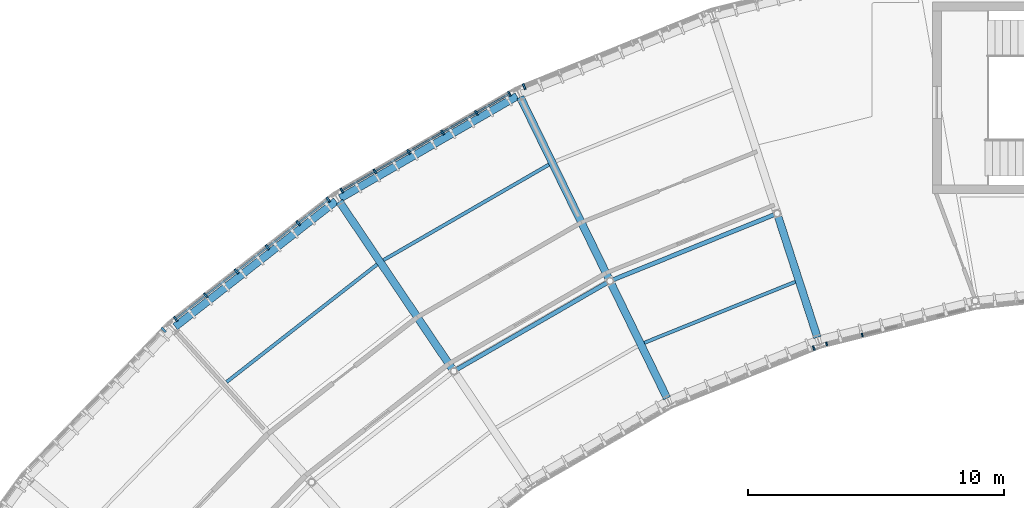
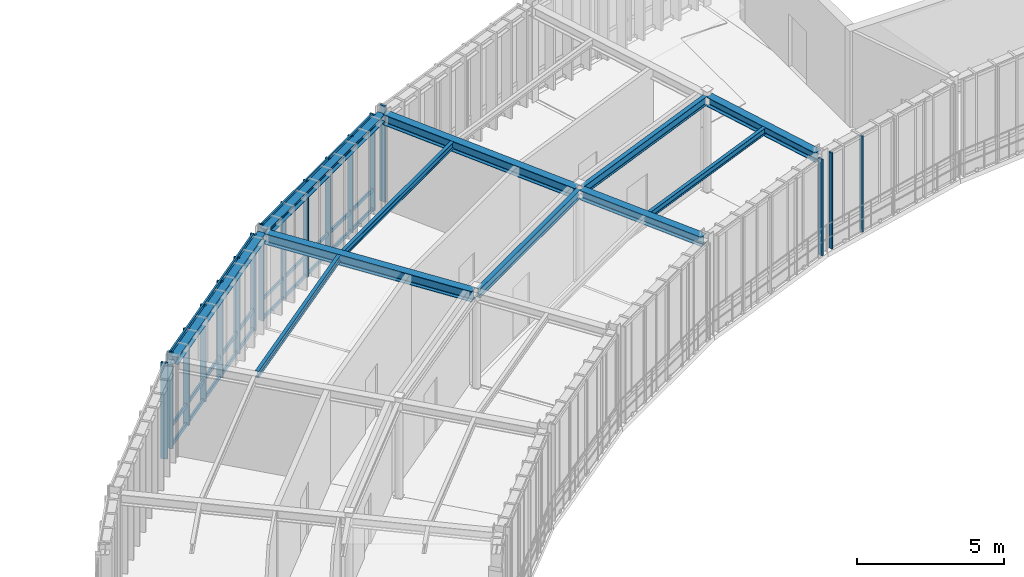
# One storey, part 20 of 52: 23 members, 11 beams, 6 elements without a shape of their own.
"""IFC4 building model written with IfcOpenShell, lengths in metres."""

from ifc_helpers import new_model, si_unit, direction, frame, origin, origin_2d, place, context, subcontext, project, spatial, rectangle, i_section, extrude, material, layer, layer_set, material_profile, profile_set, type_object, element, aggregate, save


model = new_model("IFC4")

# Units and contexts
model_context = context("Model", 3, precision=1e-05, world=origin(), true_north=direction((0.0, 1.0)))
body_context = subcontext(model_context, "Body", "Model", "MODEL_VIEW")
ifc_project = project(units=[si_unit("LENGTHUNIT", "METRE"), si_unit("AREAUNIT", "SQUARE_METRE"), si_unit("VOLUMEUNIT", "CUBIC_METRE"), si_unit("PLANEANGLEUNIT", "RADIAN"), si_unit("MASSUNIT", "GRAM", prefix="KILO"), si_unit("THERMODYNAMICTEMPERATUREUNIT", "KELVIN"), si_unit("POWERUNIT", "WATT")], contexts=[model_context])

# Site, building, storey
site_placement = place(None, origin())
site = spatial("IfcSite", under=ifc_project, at=site_placement, CompositionType="ELEMENT")
building_placement = place(site_placement, origin())
building = spatial("IfcBuilding", under=site, at=building_placement, Name="Solvatero Civic Police Headquarters", CompositionType="ELEMENT")
storey_placement = place(building_placement, frame((0.0, 0.0, 13.5)))
storey = spatial("IfcBuildingStorey", under=building, at=storey_placement, Name="L03", CompositionType="ELEMENT", Elevation=13.5)

# Beams
ifc_material_1 = material(Name="Steel S355", Category="steel")
ifc_material_profile_1 = material_profile(ifc_material_1, i_section(OverallWidth=0.300048828125, OverallDepth=0.31005859375, WebThickness=0.009033203125, FlangeThickness=0.015380859375, FilletRadius=0.027099609375, at=origin_2d()), Name="HEA 320")
ifc_profile_set_1 = profile_set([ifc_material_profile_1], Name="Steel S355")
beam_type_1 = type_object("IfcBeamType", Name="BM-ST-HEA320", PredefinedType="SPANDREL", material=ifc_profile_set_1)
for number, where, z_axis, x_axis, name in (
    (1, (68.202880859375, 78.664306640625, 3.844970703125), (-0.866028717572, -0.499994260308, 0.0), (0.499994260308, -0.866028717572, 0.0), "Perimeter / radial spandrel beam BM-R2-L03-ARC-COUT-B05"),
    (2, (61.12451171875, 74.5615234375, 3.844970703125), (-0.788008144593, -0.615664814696, 0.0), (0.615664814696, -0.788008144593, 0.0), "Perimeter / radial spandrel beam BM-R2-L03-ARC-COUT-B06"),
):
    element("IfcBeam", number, at=place(storey_placement, frame(where, z_axis=z_axis, x_axis=x_axis)), inside=storey, type_object=beam_type_1, Name=name, PredefinedType="SPANDREL", context=body_context, shape_type="SweptSolid", body=[
        extrude(i_section(OverallWidth=0.300048828125, OverallDepth=0.31005859375, WebThickness=0.009033203125, FlangeThickness=0.015380859375, FilletRadius=0.027099609375, at=origin_2d()), origin(), (0.0, 0.0, 1.0), 7.982421875),
    ])
ifc_material_profile_2 = material_profile(ifc_material_1, i_section(OverallWidth=0.300048828125, OverallDepth=0.389892578125, WebThickness=0.010986328125, FlangeThickness=0.01904296875, FilletRadius=0.027099609375, at=origin_2d()), Name="HEA 400")
ifc_profile_set_2 = profile_set([ifc_material_profile_2], Name="Steel S355")
beam_type_2 = type_object("IfcBeamType", Name="BM-ST-HEA400", PredefinedType="BEAM", material=ifc_profile_set_2)
beam_1_placement = place(storey_placement, frame((79.955078125, 69.2255859375, 3.804931640625), z_axis=(-0.308996636599, 0.951063130697, 0.0), x_axis=(-0.951063130697, -0.308996636599, 0.0)))
element("IfcBeam", 3, at=beam_1_placement, inside=storey, type_object=beam_type_2, Name="Primary girder BM-R2-L03-ARC-RAD1-S03", PredefinedType="BEAM", context=body_context, shape_type="SweptSolid", body=[
    extrude(i_section(OverallWidth=0.300048828125, OverallDepth=0.389892578125, WebThickness=0.010986328125, FlangeThickness=0.01904296875, FilletRadius=0.027099609375, at=origin_2d()), origin(), (0.0, 0.0, 1.0), 4.999755859375),
])
beam_2_placement = place(storey_placement, frame((74.076171875, 66.85009765625, 3.804931640625), z_axis=(-0.438422670017, 0.898768914914, 0.0), x_axis=(-0.898768914914, -0.438422670017, 0.0)))
element("IfcBeam", 4, at=beam_2_placement, inside=storey, type_object=beam_type_2, Name="Primary girder BM-R2-L03-ARC-RAD1-S04", PredefinedType="BEAM", context=body_context, shape_type="SweptSolid", body=[
    extrude(i_section(OverallWidth=0.300048828125, OverallDepth=0.389892578125, WebThickness=0.010986328125, FlangeThickness=0.01904296875, FilletRadius=0.027099609375, at=origin_2d()), origin(), (0.0, 0.0, 1.0), 5.0),
])
ifc_material_profile_3 = material_profile(ifc_material_1, i_section(OverallWidth=0.300048828125, OverallDepth=0.43994140625, WebThickness=0.011474609375, FlangeThickness=0.02099609375, FilletRadius=0.027099609375, at=origin_2d()), Name="HEA 450")
ifc_profile_set_3 = profile_set([ifc_material_profile_3], Name="Steel S355")
beam_type_3 = type_object("IfcBeamType", Name="BM-ST-HEA450", PredefinedType="BEAM", material=ifc_profile_set_3)
for number, where, z_axis, x_axis, name in (
    (5, (71.79638671875, 71.52392578125, 3.780029296875), (-0.438365789194, 0.898796659353, 0.0), (-0.898796659353, -0.438365789194, 0.0), "Primary girder BM-R2-L03-ARC-RAD2-S04"),
    (6, (65.677001953125, 67.99072265625, 3.780029296875), (-0.559192054274, 0.829038145345, 0.0), (-0.829038145345, -0.559192054274, 0.0), "Primary girder BM-R2-L03-ARC-RAD2-S05"),
):
    element("IfcBeam", number, at=place(storey_placement, frame(where, z_axis=z_axis, x_axis=x_axis)), inside=storey, type_object=beam_type_3, Name=name, PredefinedType="BEAM", context=body_context, shape_type="SweptSolid", body=[
        extrude(i_section(OverallWidth=0.300048828125, OverallDepth=0.43994140625, WebThickness=0.011474609375, FlangeThickness=0.02099609375, FilletRadius=0.027099609375, at=origin_2d()), origin(), (0.0, 0.0, 1.0), 7.900146484375),
    ])
ifc_material_profile_4 = material_profile(ifc_material_1, i_section(OverallWidth=0.135009765625, OverallDepth=0.27001953125, WebThickness=0.006591796875, FlangeThickness=0.01025390625, FilletRadius=0.014892578125, at=origin_2d()), Name="IPE 270")
ifc_profile_set_4 = profile_set([ifc_material_profile_4], Name="Steel S355")
beam_type_4 = type_object("IfcBeamType", Name="BM-ST-IPE270", PredefinedType="BEAM", material=ifc_profile_set_4)
beam_3_placement = place(storey_placement, frame((79.08984375, 71.404296875, 3.864990234375), z_axis=(-0.927180902573, -0.374613899774, 0.0), x_axis=(0.374613899774, -0.927180902573, 0.0)))
element("IfcBeam", 7, at=beam_3_placement, inside=storey, type_object=beam_type_4, Name="Composite floor beam BM-R2-L03-ARC-CS1-B04", PredefinedType="BEAM", context=body_context, shape_type="SweptSolid", body=[
    extrude(i_section(OverallWidth=0.135009765625, OverallDepth=0.27001953125, WebThickness=0.006591796875, FlangeThickness=0.01025390625, FilletRadius=0.014892578125, at=origin_2d()), origin(), (0.0, 0.0, 1.0), 6.36865234375),
])
for number, where, z_axis, x_axis, name in (
    (8, (69.452880859375, 75.98779296875, 3.864990234375), (-0.866030490612, -0.499991189252, 0.0), (0.499991189252, -0.866030490612, 0.0), "Composite floor beam BM-R2-L03-ARC-CS2-B05"),
    (9, (62.73486328125, 72.085205078125, 3.864990234375), (-0.78800951062, -0.615663066272, 0.0), (0.615663066272, -0.78800951062, 0.0), "Composite floor beam BM-R2-L03-ARC-CS2-B06"),
):
    element("IfcBeam", number, at=place(storey_placement, frame(where, z_axis=z_axis, x_axis=x_axis)), inside=storey, type_object=beam_type_4, Name=name, PredefinedType="BEAM", context=body_context, shape_type="SweptSolid", body=[
        extrude(i_section(OverallWidth=0.135009765625, OverallDepth=0.27001953125, WebThickness=0.006591796875, FlangeThickness=0.01025390625, FilletRadius=0.014892578125, at=origin_2d()), origin(), (0.0, 0.0, 1.0), 7.470947265625),
    ])
ifc_material_profile_5 = material_profile(ifc_material_1, i_section(OverallWidth=0.169921875, OverallDepth=0.360107421875, WebThickness=0.008056640625, FlangeThickness=0.0126953125, FilletRadius=0.01806640625, at=origin_2d()), Name="IPE 360")
ifc_profile_set_5 = profile_set([ifc_material_profile_5], Name="Steel S355")
beam_type_5 = type_object("IfcBeamType", Name="BM-ST-IPE360", PredefinedType="BEAM", material=ifc_profile_set_5)
beam_4_placement = place(storey_placement, frame((78.28662109375, 74.038330078125, 3.820068359375), z_axis=(-0.927188538339, -0.374595000465, 0.0), x_axis=(0.374595000465, -0.927188538339, 0.0)))
element("IfcBeam", 10, at=beam_4_placement, inside=storey, type_object=beam_type_5, Name="Composite floor beam BM-R2-L03-ARC-CMID-B04", PredefinedType="BEAM", context=body_context, shape_type="SweptSolid", body=[
    extrude(i_section(OverallWidth=0.169921875, OverallDepth=0.360107421875, WebThickness=0.008056640625, FlangeThickness=0.0126953125, FilletRadius=0.01806640625, at=origin_2d()), origin(), (0.0, 0.0, 1.0), 6.8525390625),
])
beam_5_placement = place(storey_placement, frame((71.753662109375, 71.384033203125, 3.820068359375), z_axis=(-0.866020050267, -0.50000927245, 0.0), x_axis=(0.50000927245, -0.866020050267, 0.0)))
element("IfcBeam", 11, at=beam_5_placement, inside=storey, type_object=beam_type_5, Name="Composite floor beam BM-R2-L03-ARC-CMID-B05", PredefinedType="BEAM", context=body_context, shape_type="SweptSolid", body=[
    extrude(i_section(OverallWidth=0.169921875, OverallDepth=0.360107421875, WebThickness=0.008056640625, FlangeThickness=0.0126953125, FilletRadius=0.01806640625, at=origin_2d()), origin(), (0.0, 0.0, 1.0), 6.852294921875),
])

# Curtain wall, member
ifc_material_2 = material(Name="Anodized Bronze Aluminium", Category="aluminium")
ifc_layer_1 = layer(ifc_material_2, 0.179931640625)
ifc_layer_set_1 = layer_set([ifc_layer_1], Name="Anodized Bronze Aluminium")
curtain_wall_type_1 = type_object("IfcCurtainWallType", Name="CW-ARC-OUT", PredefinedType="USERDEFINED", material=ifc_layer_set_1)
curtain_wall_1_placement = place(storey_placement, origin())
curtain_wall_1 = element("IfcCurtainWall", 12, at=curtain_wall_1_placement, inside=storey, type_object=curtain_wall_type_1, Name="Curtain Wall CW-R2-L03-ARC-OUT-B04", ObjectType="UNITISED", PredefinedType="USERDEFINED")
ifc_material_profile_6 = material_profile(ifc_material_2, rectangle(XDim=0.080078125, YDim=0.239990234375, at=origin_2d()), Name="ALU MULLION 80x240")
ifc_profile_set_6 = profile_set([ifc_material_profile_6], Name="Anodized Bronze Aluminium")
member_type_1 = type_object("IfcMemberType", Name="CWM-140x60", PredefinedType="MULLION", material=ifc_profile_set_6)
member_1_placement = place(storey_placement, frame((68.486328125, 79.041259765625, 0.0), z_axis=(0.0, 0.0, 1.0), x_axis=(-0.927190392544, -0.374590410948, 0.0)))
member_1 = element("IfcMember", 13, at=member_1_placement, type_object=member_type_1, Name="CW-R2-L03-ARC-OUT-B04 Mullion 6", PredefinedType="MULLION", context=body_context, shape_type="SweptSolid", body=[
    extrude(rectangle(XDim=0.080078125, YDim=0.239990234375, at=origin_2d()), origin(), (0.0, 0.0, 1.0), 4.0),
])
aggregate(curtain_wall_1, [member_1])

curtain_wall_2_placement = place(storey_placement, origin())
curtain_wall_2 = element("IfcCurtainWall", 14, at=curtain_wall_2_placement, inside=storey, type_object=curtain_wall_type_1, Name="Curtain Wall CW-R2-L03-ARC-OUT-B07", ObjectType="UNITISED", PredefinedType="USERDEFINED")
member_2_placement = place(storey_placement, frame((54.37841796875, 69.525390625, 0.0), z_axis=(0.0, 0.0, 1.0), x_axis=(-0.694645815505, -0.719351924305, 0.0)))
member_2 = element("IfcMember", 15, at=member_2_placement, type_object=member_type_1, Name="CW-R2-L03-ARC-OUT-B07 Mullion 1", PredefinedType="MULLION", context=body_context, shape_type="SweptSolid", body=[
    extrude(rectangle(XDim=0.080078125, YDim=0.239990234375, at=origin_2d()), origin(), (0.0, 0.0, 1.0), 4.0),
])
aggregate(curtain_wall_2, [member_2])

# Curtain wall, members
ifc_layer_2 = layer(ifc_material_2, 0.179931640625)
ifc_layer_set_2 = layer_set([ifc_layer_2], Name="Anodized Bronze Aluminium")
curtain_wall_type_2 = type_object("IfcCurtainWallType", Name="CW-ARC-IN", PredefinedType="USERDEFINED", material=ifc_layer_set_2)
curtain_wall_3_placement = place(storey_placement, origin())
curtain_wall_3 = element("IfcCurtainWall", 16, at=curtain_wall_3_placement, inside=storey, type_object=curtain_wall_type_2, Name="Curtain Wall CW-R2-L03-ARC-IN-B03", ObjectType="UNITISED", PredefinedType="USERDEFINED")
ifc_material_profile_7 = material_profile(ifc_material_2, rectangle(XDim=0.06005859375, YDim=0.139892578125, at=origin_2d()), Name="ALU MULLION 60x140")
ifc_profile_set_7 = profile_set([ifc_material_profile_7], Name="Anodized Bronze Aluminium")
member_type_2 = type_object("IfcMemberType", Name="CWM-160x65", PredefinedType="MULLION", material=ifc_profile_set_7)
member_3_placement = place(storey_placement, frame((81.708251953125, 69.3232421875, 0.0), z_axis=(0.0, 0.0, 1.0), x_axis=(-0.970299948462, -0.241904960708, 0.0)))
member_3 = element("IfcMember", 17, at=member_3_placement, type_object=member_type_2, Name="CW-R2-L03-ARC-IN-B03 Mullion 4", PredefinedType="MULLION", context=body_context, shape_type="SweptSolid", body=[
    extrude(rectangle(XDim=0.06005859375, YDim=0.139892578125, at=origin_2d()), origin(), (0.0, 0.0, 1.0), 4.0),
])
member_4_placement = place(storey_placement, frame((80.313232421875, 68.9755859375, 0.0), z_axis=(0.0, 0.0, 1.0), x_axis=(-0.970299948462, -0.241904960708, 0.0)))
member_4 = element("IfcMember", 18, at=member_4_placement, type_object=member_type_2, Name="CW-R2-L03-ARC-IN-B03 Mullion 5", PredefinedType="MULLION", context=body_context, shape_type="SweptSolid", body=[
    extrude(rectangle(XDim=0.06005859375, YDim=0.139892578125, at=origin_2d()), origin(), (0.0, 0.0, 1.0), 4.0),
])
aggregate(curtain_wall_3, [member_3, member_4])

# Curtain wall, member
curtain_wall_4_placement = place(storey_placement, origin())
curtain_wall_4 = element("IfcCurtainWall", 19, at=curtain_wall_4_placement, inside=storey, type_object=curtain_wall_type_2, Name="Curtain Wall CW-R2-L03-ARC-IN-B04", ObjectType="UNITISED", PredefinedType="USERDEFINED")
ifc_material_profile_8 = material_profile(ifc_material_2, rectangle(XDim=0.06494140625, YDim=0.179931640625, at=origin_2d()), Name="ALU MULLION 65x180")
ifc_profile_set_8 = profile_set([ifc_material_profile_8], Name="Anodized Bronze Aluminium")
member_type_3 = type_object("IfcMemberType", Name="CWM-200x75", PredefinedType="MULLION", material=ifc_profile_set_8)
member_5_placement = place(storey_placement, frame((79.8125, 68.812744140625, 0.0), z_axis=(0.0, 0.0, 1.0), x_axis=(-0.927183854567, -0.374606593416, 0.0)))
member_5 = element("IfcMember", 20, at=member_5_placement, type_object=member_type_3, Name="CW-R2-L03-ARC-IN-B04 Mullion 1", PredefinedType="MULLION", context=body_context, shape_type="SweptSolid", body=[
    extrude(rectangle(XDim=0.06494140625, YDim=0.179931640625, at=origin_2d()), origin(), (0.0, 0.0, 1.0), 4.0),
])
aggregate(curtain_wall_4, [member_5])

# Curtain wall, members
curtain_wall_5_placement = place(storey_placement, origin())
curtain_wall_5 = element("IfcCurtainWall", 21, at=curtain_wall_5_placement, inside=storey, type_object=curtain_wall_type_1, Name="Curtain Wall CW-R2-L03-ARC-OUT-B05", ObjectType="UNITISED", PredefinedType="USERDEFINED")
ifc_material_profile_9 = material_profile(ifc_material_2, rectangle(XDim=0.070068359375, YDim=0.199951171875, at=origin_2d()), Name="ALU MULLION 70x200")
ifc_profile_set_9 = profile_set([ifc_material_profile_9], Name="Anodized Bronze Aluminium")
member_type_4 = type_object("IfcMemberType", Name="CWM-220x80", PredefinedType="MULLION", material=ifc_profile_set_9)
member_6_placement = place(storey_placement, frame((67.91064453125, 78.760498046875, 0.0), z_axis=(0.0, 0.0, 1.0), x_axis=(-0.866034130299, -0.499984884929, 0.0)))
member_6 = element("IfcMember", 22, at=member_6_placement, type_object=member_type_4, Name="CW-R2-L03-ARC-OUT-B05 Mullion 1", PredefinedType="MULLION", context=body_context, shape_type="SweptSolid", body=[
    extrude(rectangle(XDim=0.070068359375, YDim=0.199951171875, at=origin_2d()), origin(), (0.0, 0.0, 1.0), 4.0),
])
member_7_placement = place(storey_placement, frame((66.619873046875, 78.01513671875, 0.0), z_axis=(0.0, 0.0, 1.0), x_axis=(-0.866034130299, -0.499984884929, 0.0)))
member_7 = element("IfcMember", 23, at=member_7_placement, type_object=member_type_4, Name="CW-R2-L03-ARC-OUT-B05 Mullion 2", PredefinedType="MULLION", context=body_context, shape_type="SweptSolid", body=[
    extrude(rectangle(XDim=0.070068359375, YDim=0.199951171875, at=origin_2d()), origin(), (0.0, 0.0, 1.0), 4.0),
])
member_8_placement = place(storey_placement, frame((65.29443359375, 77.25, 0.0), z_axis=(0.0, 0.0, 1.0), x_axis=(-0.866034130299, -0.499984884929, 0.0)))
member_8 = element("IfcMember", 24, at=member_8_placement, type_object=member_type_4, Name="CW-R2-L03-ARC-OUT-B05 Mullion 3", PredefinedType="MULLION", context=body_context, shape_type="SweptSolid", body=[
    extrude(rectangle(XDim=0.070068359375, YDim=0.199951171875, at=origin_2d()), origin(), (0.0, 0.0, 1.0), 4.0),
])
member_9_placement = place(storey_placement, frame((63.968994140625, 76.484619140625, 0.0), z_axis=(0.0, 0.0, 1.0), x_axis=(-0.866034130299, -0.499984884929, 0.0)))
member_9 = element("IfcMember", 25, at=member_9_placement, type_object=member_type_4, Name="CW-R2-L03-ARC-OUT-B05 Mullion 4", PredefinedType="MULLION", context=body_context, shape_type="SweptSolid", body=[
    extrude(rectangle(XDim=0.070068359375, YDim=0.199951171875, at=origin_2d()), origin(), (0.0, 0.0, 1.0), 4.0),
])
member_10_placement = place(storey_placement, frame((62.6435546875, 75.719482421875, 0.0), z_axis=(0.0, 0.0, 1.0), x_axis=(-0.866034130299, -0.499984884929, 0.0)))
member_10 = element("IfcMember", 26, at=member_10_placement, type_object=member_type_4, Name="CW-R2-L03-ARC-OUT-B05 Mullion 5", PredefinedType="MULLION", context=body_context, shape_type="SweptSolid", body=[
    extrude(rectangle(XDim=0.070068359375, YDim=0.199951171875, at=origin_2d()), origin(), (0.0, 0.0, 1.0), 4.0),
])
member_11_placement = place(storey_placement, frame((61.352783203125, 74.97412109375, 0.0), z_axis=(0.0, 0.0, 1.0), x_axis=(-0.866034130299, -0.499984884929, 0.0)))
member_11 = element("IfcMember", 27, at=member_11_placement, type_object=member_type_4, Name="CW-R2-L03-ARC-OUT-B05 Mullion 6", PredefinedType="MULLION", context=body_context, shape_type="SweptSolid", body=[
    extrude(rectangle(XDim=0.070068359375, YDim=0.199951171875, at=origin_2d()), origin(), (0.0, 0.0, 1.0), 4.0),
])

curtain_wall_6_placement = place(storey_placement, origin())
curtain_wall_6 = element("IfcCurtainWall", 28, at=curtain_wall_6_placement, inside=storey, type_object=curtain_wall_type_1, Name="Curtain Wall CW-R2-L03-ARC-OUT-B06", ObjectType="UNITISED", PredefinedType="USERDEFINED")
ifc_material_profile_10 = material_profile(ifc_material_2, rectangle(XDim=0.074951171875, YDim=0.219970703125, at=origin_2d()), Name="ALU MULLION 75x220")
ifc_profile_set_10 = profile_set([ifc_material_profile_10], Name="Anodized Bronze Aluminium")
member_type_5 = type_object("IfcMemberType", Name="CWM-250x85", PredefinedType="MULLION", material=ifc_profile_set_10)
member_12_placement = place(storey_placement, frame((60.82177734375, 74.6162109375, 0.0), z_axis=(0.0, 0.0, 1.0), x_axis=(-0.788021498807, -0.61564772185, 0.0)))
member_12 = element("IfcMember", 29, at=member_12_placement, type_object=member_type_5, Name="CW-R2-L03-ARC-OUT-B06 Mullion 1", PredefinedType="MULLION", context=body_context, shape_type="SweptSolid", body=[
    extrude(rectangle(XDim=0.074951171875, YDim=0.219970703125, at=origin_2d()), origin(), (0.0, 0.0, 1.0), 4.0),
])
member_13_placement = place(storey_placement, frame((59.647216796875, 73.698486328125, 0.0), z_axis=(0.0, 0.0, 1.0), x_axis=(-0.788021498807, -0.61564772185, 0.0)))
member_13 = element("IfcMember", 30, at=member_13_placement, type_object=member_type_5, Name="CW-R2-L03-ARC-OUT-B06 Mullion 2", PredefinedType="MULLION", context=body_context, shape_type="SweptSolid", body=[
    extrude(rectangle(XDim=0.074951171875, YDim=0.219970703125, at=origin_2d()), origin(), (0.0, 0.0, 1.0), 4.0),
])
member_14_placement = place(storey_placement, frame((58.441162109375, 72.756103515625, 0.0), z_axis=(0.0, 0.0, 1.0), x_axis=(-0.788021498807, -0.61564772185, 0.0)))
member_14 = element("IfcMember", 31, at=member_14_placement, type_object=member_type_5, Name="CW-R2-L03-ARC-OUT-B06 Mullion 3", PredefinedType="MULLION", context=body_context, shape_type="SweptSolid", body=[
    extrude(rectangle(XDim=0.074951171875, YDim=0.219970703125, at=origin_2d()), origin(), (0.0, 0.0, 1.0), 4.0),
])
member_15_placement = place(storey_placement, frame((57.235107421875, 71.81396484375, 0.0), z_axis=(0.0, 0.0, 1.0), x_axis=(-0.788021498807, -0.61564772185, 0.0)))
member_15 = element("IfcMember", 32, at=member_15_placement, type_object=member_type_5, Name="CW-R2-L03-ARC-OUT-B06 Mullion 4", PredefinedType="MULLION", context=body_context, shape_type="SweptSolid", body=[
    extrude(rectangle(XDim=0.074951171875, YDim=0.219970703125, at=origin_2d()), origin(), (0.0, 0.0, 1.0), 4.0),
])
member_16_placement = place(storey_placement, frame((56.029052734375, 70.87158203125, 0.0), z_axis=(0.0, 0.0, 1.0), x_axis=(-0.788021498807, -0.61564772185, 0.0)))
member_16 = element("IfcMember", 33, at=member_16_placement, type_object=member_type_5, Name="CW-R2-L03-ARC-OUT-B06 Mullion 5", PredefinedType="MULLION", context=body_context, shape_type="SweptSolid", body=[
    extrude(rectangle(XDim=0.074951171875, YDim=0.219970703125, at=origin_2d()), origin(), (0.0, 0.0, 1.0), 4.0),
])
member_17_placement = place(storey_placement, frame((54.8544921875, 69.9541015625, 0.0), z_axis=(0.0, 0.0, 1.0), x_axis=(-0.788021498807, -0.61564772185, 0.0)))
member_17 = element("IfcMember", 34, at=member_17_placement, type_object=member_type_5, Name="CW-R2-L03-ARC-OUT-B06 Mullion 6", PredefinedType="MULLION", context=body_context, shape_type="SweptSolid", body=[
    extrude(rectangle(XDim=0.074951171875, YDim=0.219970703125, at=origin_2d()), origin(), (0.0, 0.0, 1.0), 4.0),
])
ifc_material_profile_11 = material_profile(ifc_material_2, rectangle(XDim=0.070068359375, YDim=0.159912109375, at=origin_2d()), Name="ALU TRANSOM 70x160")
ifc_profile_set_11 = profile_set([ifc_material_profile_11], Name="Anodized Bronze Aluminium")
member_type_6 = type_object("IfcMemberType", Name="CWT-120x55", PredefinedType="USERDEFINED", material=ifc_profile_set_11)
member_18_placement = place(storey_placement, frame((60.81396484375, 74.60986328125, 0.0400390625), z_axis=(-0.788029274462, -0.615637768977, 0.0), x_axis=(0.615637768977, -0.788029274462, 0.0)))
member_18 = element("IfcMember", 35, at=member_18_placement, type_object=member_type_6, Name="CW-R2-L03-ARC-OUT-B06 Transom 1", ObjectType="TRANSOM", PredefinedType="USERDEFINED", context=body_context, shape_type="SweptSolid", body=[
    extrude(rectangle(XDim=0.070068359375, YDim=0.159912109375, at=origin_2d()), origin(), (0.0, 0.0, 1.0), 7.552490234375),
])
member_19_placement = place(storey_placement, frame((60.81396484375, 74.60986328125, 0.85009765625), z_axis=(-0.788029274462, -0.615637768977, 0.0), x_axis=(0.615637768977, -0.788029274462, 0.0)))
member_19 = element("IfcMember", 36, at=member_19_placement, type_object=member_type_6, Name="CW-R2-L03-ARC-OUT-B06 Transom 2", ObjectType="TRANSOM", PredefinedType="USERDEFINED", context=body_context, shape_type="SweptSolid", body=[
    extrude(rectangle(XDim=0.070068359375, YDim=0.159912109375, at=origin_2d()), origin(), (0.0, 0.0, 1.0), 7.552490234375),
])
member_20_placement = place(storey_placement, frame((60.81396484375, 74.60986328125, 3.9599609375), z_axis=(-0.788029274462, -0.615637768977, 0.0), x_axis=(0.615637768977, -0.788029274462, 0.0)))
member_20 = element("IfcMember", 37, at=member_20_placement, type_object=member_type_6, Name="CW-R2-L03-ARC-OUT-B06 Transom 3", ObjectType="TRANSOM", PredefinedType="USERDEFINED", context=body_context, shape_type="SweptSolid", body=[
    extrude(rectangle(XDim=0.070068359375, YDim=0.159912109375, at=origin_2d()), origin(), (0.0, 0.0, 1.0), 7.552490234375),
])
aggregate(curtain_wall_6, [member_12, member_13, member_14, member_15, member_16, member_17, member_18, member_19, member_20])

# Member
ifc_material_profile_12 = material_profile(ifc_material_2, rectangle(XDim=0.06494140625, YDim=0.139892578125, at=origin_2d()), Name="ALU TRANSOM 65x140")
ifc_profile_set_12 = profile_set([ifc_material_profile_12], Name="Anodized Bronze Aluminium")
member_type_7 = type_object("IfcMemberType", Name="CWT-180x70", PredefinedType="USERDEFINED", material=ifc_profile_set_12)
member_21_placement = place(storey_placement, frame((67.902099609375, 78.75537109375, 0.0400390625), z_axis=(-0.866036476395, -0.499980821186, 0.0), x_axis=(0.499980821186, -0.866036476395, 0.0)))
member_21 = element("IfcMember", 38, at=member_21_placement, type_object=member_type_7, Name="CW-R2-L03-ARC-OUT-B05 Transom 1", ObjectType="TRANSOM", PredefinedType="USERDEFINED", context=body_context, shape_type="SweptSolid", body=[
    extrude(rectangle(XDim=0.06494140625, YDim=0.139892578125, at=origin_2d()), origin(), (0.0, 0.0, 1.0), 7.552490234375),
])

member_22_placement = place(storey_placement, frame((67.902099609375, 78.75537109375, 0.85009765625), z_axis=(-0.866036476395, -0.499980821186, 0.0), x_axis=(0.499980821186, -0.866036476395, 0.0)))
member_22 = element("IfcMember", 39, at=member_22_placement, type_object=member_type_7, Name="CW-R2-L03-ARC-OUT-B05 Transom 2", ObjectType="TRANSOM", PredefinedType="USERDEFINED", context=body_context, shape_type="SweptSolid", body=[
    extrude(rectangle(XDim=0.06494140625, YDim=0.139892578125, at=origin_2d()), origin(), (0.0, 0.0, 1.0), 7.552490234375),
])

member_23_placement = place(storey_placement, frame((67.902099609375, 78.75537109375, 3.9599609375), z_axis=(-0.866036476395, -0.499980821186, 0.0), x_axis=(0.499980821186, -0.866036476395, 0.0)))
member_23 = element("IfcMember", 40, at=member_23_placement, type_object=member_type_7, Name="CW-R2-L03-ARC-OUT-B05 Transom 3", ObjectType="TRANSOM", PredefinedType="USERDEFINED", context=body_context, shape_type="SweptSolid", body=[
    extrude(rectangle(XDim=0.06494140625, YDim=0.139892578125, at=origin_2d()), origin(), (0.0, 0.0, 1.0), 7.552490234375),
])

aggregate(curtain_wall_5, [member_6, member_7, member_8, member_9, member_10, member_11, member_21, member_22, member_23])

save(model, "model.ifc")
